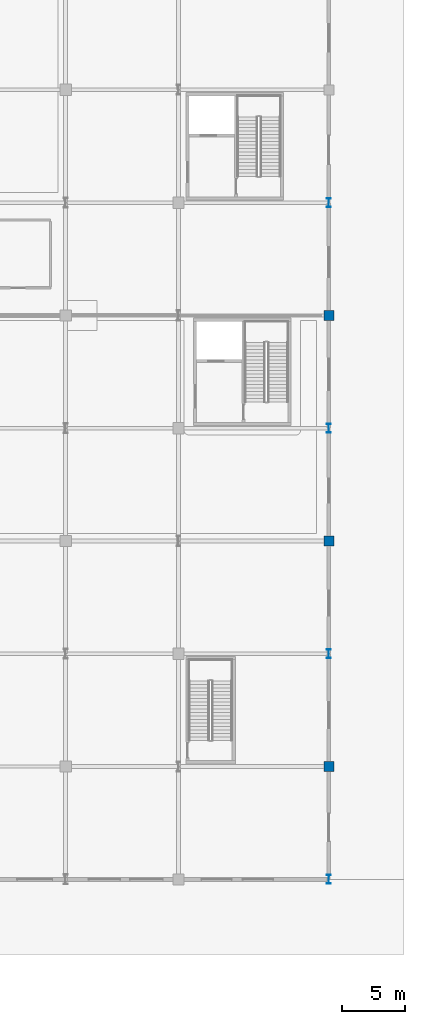
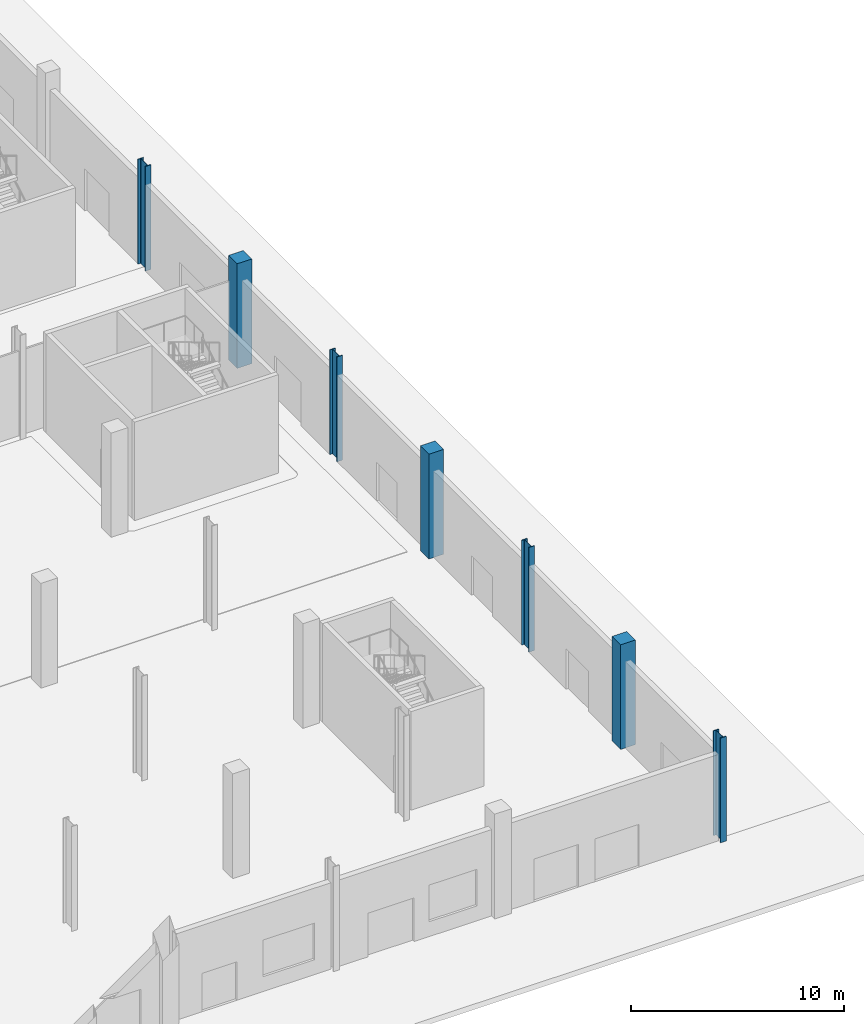
# One storey, part 11 of 58: 7 columns.
"""IFC4 building model written with IfcOpenShell, lengths in metres."""

from ifc_helpers import new_model, si_unit, direction, frame, origin, origin_2d, place, context, subcontext, project, spatial, rectangle, i_section, extrude, material, material_profile, profile_set, type_object, element, save


model = new_model("IFC4")

# Units and contexts
model_context = context("Model", 3, precision=1e-05, world=origin(), true_north=direction((0.0, 1.0)))
body_context = subcontext(model_context, "Body", "Model", "MODEL_VIEW")
ifc_project = project(units=[si_unit("LENGTHUNIT", "METRE"), si_unit("AREAUNIT", "SQUARE_METRE"), si_unit("VOLUMEUNIT", "CUBIC_METRE"), si_unit("PLANEANGLEUNIT", "RADIAN"), si_unit("MASSUNIT", "GRAM", prefix="KILO")], contexts=[model_context])

# Site, building, storey
site_placement = place(None, origin())
site = spatial("IfcSite", under=ifc_project, at=site_placement, CompositionType="ELEMENT")
building_placement = place(site_placement, origin())
building = spatial("IfcBuilding", under=site, at=building_placement, Name="Barlavento Convention Centre", CompositionType="ELEMENT")
storey_placement = place(building_placement, origin())
storey = spatial("IfcBuildingStorey", under=building, at=storey_placement, Name="L00", CompositionType="ELEMENT", Elevation=0.0)

# Columns
ifc_material_1 = material(Name="Steel S460", Category="steel")
ifc_material_profile_1 = material_profile(ifc_material_1, i_section(OverallWidth=0.303955078125, OverallDepth=0.716064453125, WebThickness=0.02099609375, FlangeThickness=0.0400390625, FilletRadius=0.027099609375, at=origin_2d()), Name="HEM 700")
ifc_profile_set_1 = profile_set([ifc_material_profile_1], Name="Steel S460")
column_type_1 = type_object("IfcColumnType", Name="STR-COL-HEM700", PredefinedType="COLUMN", material=ifc_profile_set_1)
for number, where, z_axis, x_axis, name in (
    (1, (192.0, 0.0, 0.0), (0.0, 0.0, 1.0), (1.0, 0.0, 0.0), "L00 column SC03"),
    (2, (192.0, 18.0, 0.0), (0.0, 0.0, 1.0), (1.0, 0.0, 0.0), "L00 column SC03"),
    (3, (192.0, 36.0, 0.0), (0.0, 0.0, 1.0), (1.0, 0.0, 0.0), "L00 column SC03"),
    (4, (192.0, 54.0, 0.0), (0.0, 0.0, 1.0), (1.0, 0.0, 0.0), "L00 column SC03"),
):
    element("IfcColumn", number, at=place(storey_placement, frame(where, z_axis=z_axis, x_axis=x_axis)), inside=storey, type_object=column_type_1, Name=name, PredefinedType="COLUMN", context=body_context, shape_type="SweptSolid", body=[
        extrude(i_section(OverallWidth=0.303955078125, OverallDepth=0.716064453125, WebThickness=0.02099609375, FlangeThickness=0.0400390625, FilletRadius=0.027099609375, at=origin_2d()), origin(), (0.0, 0.0, 1.0), 6.0),
    ])
ifc_material_2 = material(Name="Concrete C40/50", Category="concrete")
ifc_material_profile_2 = material_profile(ifc_material_2, rectangle(XDim=0.800048828125, YDim=0.800048828125, at=origin_2d()), Name="RC 800x800")
ifc_profile_set_2 = profile_set([ifc_material_profile_2], Name="Concrete C40/50")
column_type_2 = type_object("IfcColumnType", Name="STR-COL-RC800", PredefinedType="COLUMN", material=ifc_profile_set_2)
for number, where, z_axis, x_axis, name in (
    (5, (192.0, 9.0, 0.0), (0.0, 0.0, 1.0), (1.0, 0.0, 0.0), "L00 column CC05"),
    (6, (192.0, 27.0, 0.0), (0.0, 0.0, 1.0), (1.0, 0.0, 0.0), "L00 column CC05"),
    (7, (192.0, 45.0, 0.0), (0.0, 0.0, 1.0), (1.0, 0.0, 0.0), "L00 column CC05"),
):
    element("IfcColumn", number, at=place(storey_placement, frame(where, z_axis=z_axis, x_axis=x_axis)), inside=storey, type_object=column_type_2, Name=name, PredefinedType="COLUMN", context=body_context, shape_type="SweptSolid", body=[
        extrude(rectangle(XDim=0.800048828125, YDim=0.800048828125, at=origin_2d()), origin(), (0.0, 0.0, 1.0), 6.0),
    ])

save(model, "model.ifc")
